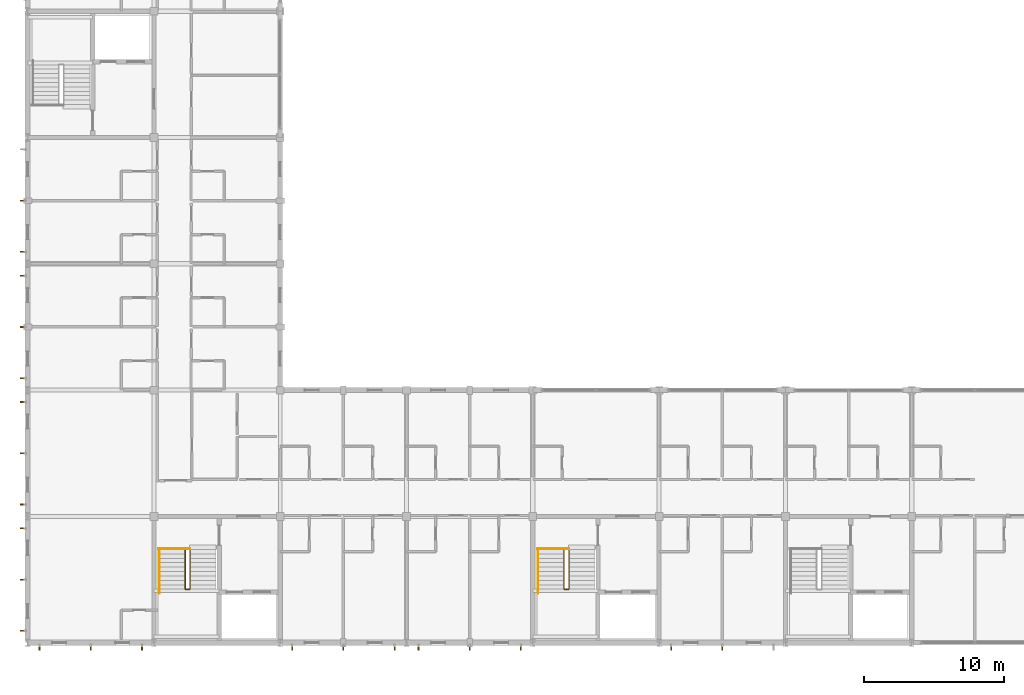
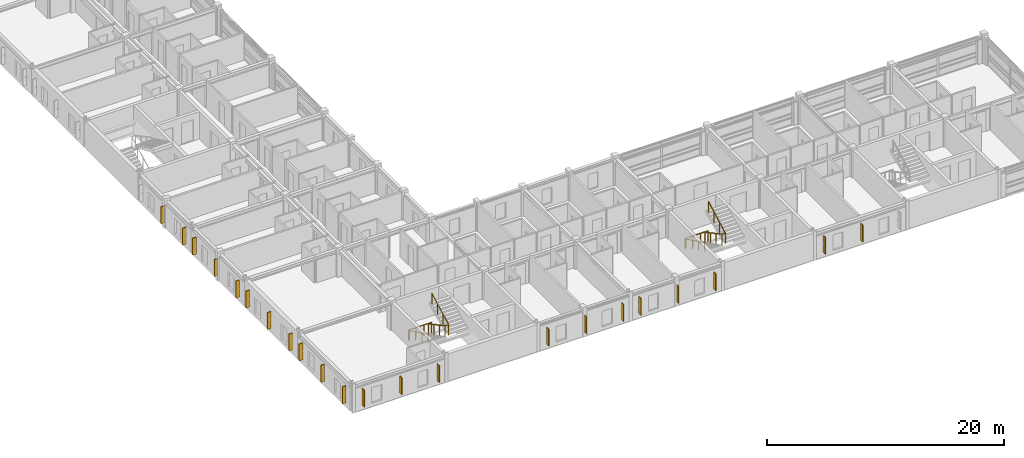
# One storey, part 27 of 30: 22 shading devices, 6 railings.
"""IFC4 building model written with IfcOpenShell, lengths in metres."""

from ifc_helpers import new_model, si_unit, direction, frame, origin, origin_2d, place, context, subcontext, project, spatial, rectangle, circle, extrude, material, type_object, element, save


model = new_model("IFC4")

# Units and contexts
model_context = context("Model", 3, precision=1e-05, world=origin(), true_north=direction((0.0, 1.0)))
body_context = subcontext(model_context, "Body", "Model", "MODEL_VIEW")
ifc_project = project(units=[si_unit("LENGTHUNIT", "METRE"), si_unit("AREAUNIT", "SQUARE_METRE"), si_unit("VOLUMEUNIT", "CUBIC_METRE"), si_unit("PLANEANGLEUNIT", "RADIAN"), si_unit("MASSUNIT", "GRAM", prefix="KILO")], contexts=[model_context])

# Site, building, storey
site_placement = place(None, origin())
site = spatial("IfcSite", under=ifc_project, at=site_placement, CompositionType="ELEMENT")
building_placement = place(site_placement, origin())
building = spatial("IfcBuilding", under=site, at=building_placement, Name="Palais des Congres Ocreval", CompositionType="ELEMENT")
storey_placement = place(building_placement, frame((0.0, 0.0, 14.56005859375)))
storey = spatial("IfcBuildingStorey", under=building, at=storey_placement, Name="L04", CompositionType="ELEMENT", Elevation=14.56005859375)

# Railings
ifc_material_1 = material(Name="Anodized bronze aluminium", Category="aluminium")
railing_type_1 = type_object("IfcRailingType", Name="Bronze Stair and Ramp Handrail 900", PredefinedType="HANDRAIL", material=ifc_material_1)
for number, where, name in (
    (1, (9.3798828125, 6.64990234375, 0.15185546875), "Stair Wall Handrail ST01 L04"),
    (2, (36.3798828125, 6.64990234375, 0.15185546875), "Stair Wall Handrail ST02 L04"),
):
    element("IfcRailing", number, at=place(storey_placement, frame(where)), inside=storey, type_object=railing_type_1, Name=name, PredefinedType="HANDRAIL", context=body_context, shape_type="SweptSolid", body=[
        extrude(circle(Radius=0.02392578125, at=origin_2d()), frame((0.0, 0.0, 0.8759765625), z_axis=(0.0, -0.900621362251, 0.434604604044), x_axis=(1.0, 0.0, 0.0)), (0.0, 0.0, 1.0), 3.49755859375),
        extrude(circle(Radius=0.02099609375, at=origin_2d()), origin(), (0.0, 0.0, 1.0), 0.851806640625),
        extrude(circle(Radius=0.02099609375, at=origin_2d()), frame((0.0, -1.050048828125, 0.506591796875)), (0.0, 0.0, 1.0), 0.851806640625),
        extrude(circle(Radius=0.02099609375, at=origin_2d()), frame((0.0, -2.099853515625, 1.013427734375)), (0.0, 0.0, 1.0), 0.851806640625),
        extrude(circle(Radius=0.02099609375, at=origin_2d()), frame((0.0, -3.14990234375, 1.52001953125)), (0.0, 0.0, 1.0), 0.851806640625),
    ])
ifc_material_2 = material(Name="Steel S355", Category="steel")
railing_type_2 = type_object("IfcRailingType", Name="Stairwell Steel Guardrail 1100", PredefinedType="GUARDRAIL", material=ifc_material_2)
railing_1_placement = place(storey_placement, frame((9.320068359375, 6.699951171875, 0.0)))
element("IfcRailing", 3, at=railing_1_placement, inside=storey, type_object=railing_type_2, Name="Stairwell Landing Edge Guard ST01 L04", PredefinedType="GUARDRAIL", context=body_context, shape_type="SweptSolid", body=[
    extrude(circle(Radius=0.02392578125, at=origin_2d()), frame((0.0, 0.0, 1.076171875), z_axis=(1.0, 0.0, 0.0), x_axis=(0.0, 1.0, 0.0)), (0.0, 0.0, 1.0), 2.25),
    extrude(circle(Radius=0.02099609375, at=origin_2d()), origin(), (0.0, 0.0, 1.0), 1.052001953125),
    extrude(circle(Radius=0.02099609375, at=origin_2d()), frame((0.75, 0.0, 0.0)), (0.0, 0.0, 1.0), 1.052001953125),
    extrude(circle(Radius=0.02099609375, at=origin_2d()), frame((1.5, 0.0, 0.0)), (0.0, 0.0, 1.0), 1.052001953125),
    extrude(circle(Radius=0.02099609375, at=origin_2d()), frame((2.25, 0.0, 0.0)), (0.0, 0.0, 1.0), 1.052001953125),
])
railing_2_placement = place(storey_placement, frame((11.22998046875, 6.64990234375, 0.0)))
element("IfcRailing", 4, at=railing_2_placement, inside=storey, type_object=railing_type_2, Name="Stair Inner Guardrail ST01 L04", PredefinedType="GUARDRAIL", context=body_context, shape_type="SweptSolid", body=[
    extrude(circle(Radius=0.02392578125, at=origin_2d()), frame((0.0, 0.0, 1.076171875), z_axis=(0.0, -0.881312927046, 0.472533093678), x_axis=(1.0, 0.0, 0.0)), (0.0, 0.0, 1.0), 3.216796875),
    extrude(circle(Radius=0.02392578125, at=origin_2d()), frame((0.0, -2.8349609375, 2.59619140625), z_axis=(1.0, 0.0, 0.0), x_axis=(0.0, 1.0, 0.0)), (0.0, 0.0, 1.0), 0.340087890625),
    extrude(circle(Radius=0.02392578125, at=origin_2d()), frame((0.340087890625, -2.8349609375, 2.59619140625), z_axis=(0.0, 0.881312927046, 0.472533093678), x_axis=(-1.0, 0.0, 0.0)), (0.0, 0.0, 1.0), 3.216796875),
    extrude(circle(Radius=0.02099609375, at=origin_2d()), origin(), (0.0, 0.0, 1.0), 1.052001953125),
    extrude(circle(Radius=0.02099609375, at=origin_2d()), frame((0.0, -0.945068359375, 0.506591796875)), (0.0, 0.0, 1.0), 1.052001953125),
    extrude(circle(Radius=0.02099609375, at=origin_2d()), frame((0.0, -1.889892578125, 1.013427734375)), (0.0, 0.0, 1.0), 1.052001953125),
    extrude(circle(Radius=0.02099609375, at=origin_2d()), frame((0.0, -2.8349609375, 1.52001953125)), (0.0, 0.0, 1.0), 1.052001953125),
    extrude(circle(Radius=0.02099609375, at=origin_2d()), frame((0.340087890625, -2.8349609375, 1.52001953125)), (0.0, 0.0, 1.0), 1.052001953125),
    extrude(circle(Radius=0.02099609375, at=origin_2d()), frame((0.340087890625, -1.889892578125, 2.026611328125)), (0.0, 0.0, 1.0), 1.052001953125),
    extrude(circle(Radius=0.02099609375, at=origin_2d()), frame((0.340087890625, -0.945068359375, 2.533447265625)), (0.0, 0.0, 1.0), 1.052001953125),
    extrude(circle(Radius=0.02099609375, at=origin_2d()), frame((0.340087890625, 0.0, 3.0400390625)), (0.0, 0.0, 1.0), 1.052001953125),
])
railing_3_placement = place(storey_placement, frame((36.320068359375, 6.699951171875, 0.0)))
element("IfcRailing", 5, at=railing_3_placement, inside=storey, type_object=railing_type_2, Name="Stairwell Landing Edge Guard ST02 L04", PredefinedType="GUARDRAIL", context=body_context, shape_type="SweptSolid", body=[
    extrude(circle(Radius=0.02392578125, at=origin_2d()), frame((0.0, 0.0, 1.076171875), z_axis=(1.0, 0.0, 0.0), x_axis=(0.0, 1.0, 0.0)), (0.0, 0.0, 1.0), 2.25),
    extrude(circle(Radius=0.02099609375, at=origin_2d()), origin(), (0.0, 0.0, 1.0), 1.052001953125),
    extrude(circle(Radius=0.02099609375, at=origin_2d()), frame((0.75, 0.0, 0.0)), (0.0, 0.0, 1.0), 1.052001953125),
    extrude(circle(Radius=0.02099609375, at=origin_2d()), frame((1.5, 0.0, 0.0)), (0.0, 0.0, 1.0), 1.052001953125),
    extrude(circle(Radius=0.02099609375, at=origin_2d()), frame((2.25, 0.0, 0.0)), (0.0, 0.0, 1.0), 1.052001953125),
])
railing_4_placement = place(storey_placement, frame((38.22998046875, 6.64990234375, 0.0)))
element("IfcRailing", 6, at=railing_4_placement, inside=storey, type_object=railing_type_2, Name="Stair Inner Guardrail ST02 L04", PredefinedType="GUARDRAIL", context=body_context, shape_type="SweptSolid", body=[
    extrude(circle(Radius=0.02392578125, at=origin_2d()), frame((0.0, 0.0, 1.076171875), z_axis=(0.0, -0.881312927046, 0.472533093678), x_axis=(1.0, 0.0, 0.0)), (0.0, 0.0, 1.0), 3.216796875),
    extrude(circle(Radius=0.02392578125, at=origin_2d()), frame((0.0, -2.8349609375, 2.59619140625), z_axis=(1.0, 0.0, 0.0), x_axis=(0.0, 1.0, 0.0)), (0.0, 0.0, 1.0), 0.340087890625),
    extrude(circle(Radius=0.02392578125, at=origin_2d()), frame((0.340087890625, -2.8349609375, 2.59619140625), z_axis=(0.0, 0.881312927046, 0.472533093678), x_axis=(-1.0, 0.0, 0.0)), (0.0, 0.0, 1.0), 3.216796875),
    extrude(circle(Radius=0.02099609375, at=origin_2d()), origin(), (0.0, 0.0, 1.0), 1.052001953125),
    extrude(circle(Radius=0.02099609375, at=origin_2d()), frame((0.0, -0.945068359375, 0.506591796875)), (0.0, 0.0, 1.0), 1.052001953125),
    extrude(circle(Radius=0.02099609375, at=origin_2d()), frame((0.0, -1.889892578125, 1.013427734375)), (0.0, 0.0, 1.0), 1.052001953125),
    extrude(circle(Radius=0.02099609375, at=origin_2d()), frame((0.0, -2.8349609375, 1.52001953125)), (0.0, 0.0, 1.0), 1.052001953125),
    extrude(circle(Radius=0.02099609375, at=origin_2d()), frame((0.340087890625, -2.8349609375, 1.52001953125)), (0.0, 0.0, 1.0), 1.052001953125),
    extrude(circle(Radius=0.02099609375, at=origin_2d()), frame((0.340087890625, -1.889892578125, 2.026611328125)), (0.0, 0.0, 1.0), 1.052001953125),
    extrude(circle(Radius=0.02099609375, at=origin_2d()), frame((0.340087890625, -0.945068359375, 2.533447265625)), (0.0, 0.0, 1.0), 1.052001953125),
    extrude(circle(Radius=0.02099609375, at=origin_2d()), frame((0.340087890625, 0.0, 3.0400390625)), (0.0, 0.0, 1.0), 1.052001953125),
])

# Shading devices
ifc_material_3 = material(Name="Terracotta ceramic", Category="masonry")
shading_device_type = type_object("IfcShadingDeviceType", Name="Terracotta Ceramic Brise-Soleil Fin 360", PredefinedType="JALOUSIE", material=ifc_material_3)
for number, where, z_axis, x_axis, name in (
    (7, (49.5, -0.360107421875, 0.474853515625), (0.0, 0.0, 1.0), (0.0, -1.0, 0.0), "Ceramic Celosia Sun-Fin SD01"),
    (8, (45.85009765625, -0.360107421875, 0.474853515625), (0.0, 0.0, 1.0), (0.0, -1.0, 0.0), "Ceramic Celosia Sun-Fin SD01"),
    (9, (35.14990234375, -0.360107421875, 0.474853515625), (0.0, 0.0, 1.0), (0.0, -1.0, 0.0), "Ceramic Celosia Sun-Fin SD01"),
    (10, (31.5, -0.360107421875, 0.474853515625), (0.0, 0.0, 1.0), (0.0, -1.0, 0.0), "Ceramic Celosia Sun-Fin SD01"),
    (11, (27.85009765625, -0.360107421875, 0.474853515625), (0.0, 0.0, 1.0), (0.0, -1.0, 0.0), "Ceramic Celosia Sun-Fin SD01"),
    (12, (26.14990234375, -0.360107421875, 0.474853515625), (0.0, 0.0, 1.0), (0.0, -1.0, 0.0), "Ceramic Celosia Sun-Fin SD01"),
    (13, (22.5, -0.360107421875, 0.474853515625), (0.0, 0.0, 1.0), (0.0, -1.0, 0.0), "Ceramic Celosia Sun-Fin SD01"),
    (14, (18.85009765625, -0.360107421875, 0.474853515625), (0.0, 0.0, 1.0), (0.0, -1.0, 0.0), "Ceramic Celosia Sun-Fin SD01"),
    (15, (8.14990234375, -0.360107421875, 0.474853515625), (0.0, 0.0, 1.0), (0.0, -1.0, 0.0), "Ceramic Celosia Sun-Fin SD01"),
    (16, (4.5, -0.360107421875, 0.474853515625), (0.0, 0.0, 1.0), (0.0, -1.0, 0.0), "Ceramic Celosia Sun-Fin SD01"),
    (17, (0.85009765625, -0.360107421875, 0.474853515625), (0.0, 0.0, 1.0), (0.0, -1.0, 0.0), "Ceramic Celosia Sun-Fin SD01"),
    (18, (-0.360107421875, 0.85009765625, 0.474853515625), (0.0, 0.0, 1.0), (-1.0, 0.0, 0.0), "Ceramic Celosia Sun-Fin SD01"),
    (19, (-0.360107421875, 4.5, 0.474853515625), (0.0, 0.0, 1.0), (-1.0, 0.0, 0.0), "Ceramic Celosia Sun-Fin SD01"),
    (20, (-0.360107421875, 8.14990234375, 0.474853515625), (0.0, 0.0, 1.0), (-1.0, 0.0, 0.0), "Ceramic Celosia Sun-Fin SD01"),
    (21, (-0.360107421875, 9.85009765625, 0.474853515625), (0.0, 0.0, 1.0), (-1.0, 0.0, 0.0), "Ceramic Celosia Sun-Fin SD01"),
    (22, (-0.360107421875, 13.5, 0.474853515625), (0.0, 0.0, 1.0), (-1.0, 0.0, 0.0), "Ceramic Celosia Sun-Fin SD01"),
    (23, (-0.360107421875, 17.14990234375, 0.474853515625), (0.0, 0.0, 1.0), (-1.0, 0.0, 0.0), "Ceramic Celosia Sun-Fin SD01"),
    (24, (-0.360107421875, 18.85009765625, 0.474853515625), (0.0, 0.0, 1.0), (-1.0, 0.0, 0.0), "Ceramic Celosia Sun-Fin SD01"),
    (25, (-0.360107421875, 22.5, 0.474853515625), (0.0, 0.0, 1.0), (-1.0, 0.0, 0.0), "Ceramic Celosia Sun-Fin SD01"),
    (26, (-0.360107421875, 26.14990234375, 0.474853515625), (0.0, 0.0, 1.0), (-1.0, 0.0, 0.0), "Ceramic Celosia Sun-Fin SD01"),
    (27, (-0.360107421875, 27.85009765625, 0.474853515625), (0.0, 0.0, 1.0), (-1.0, 0.0, 0.0), "Ceramic Celosia Sun-Fin SD01"),
    (28, (-0.360107421875, 31.5, 0.474853515625), (0.0, 0.0, 1.0), (-1.0, 0.0, 0.0), "Ceramic Celosia Sun-Fin SD01"),
):
    element("IfcShadingDevice", number, at=place(storey_placement, frame(where, z_axis=z_axis, x_axis=x_axis)), inside=storey, type_object=shading_device_type, Name=name, PredefinedType="JALOUSIE", context=body_context, shape_type="SweptSolid", body=[
        extrude(rectangle(XDim=0.360107421875, YDim=0.080078125, at=origin_2d()), origin(), (0.0, 0.0, 1.0), 1.75),
    ])

save(model, "model.ifc")
